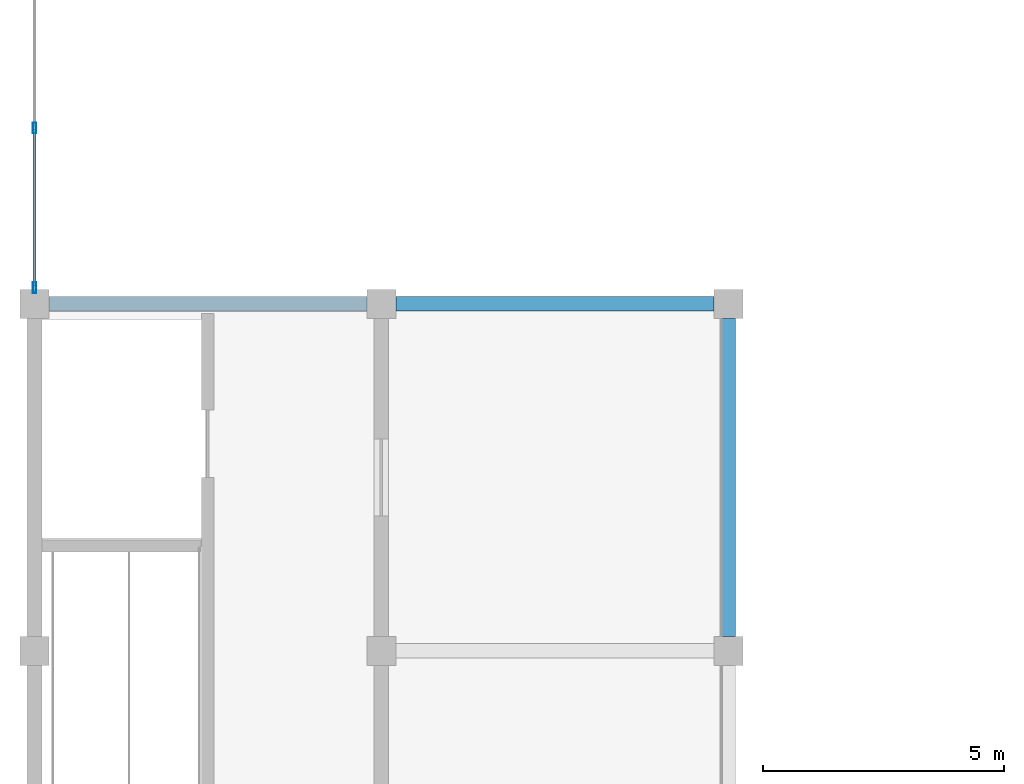
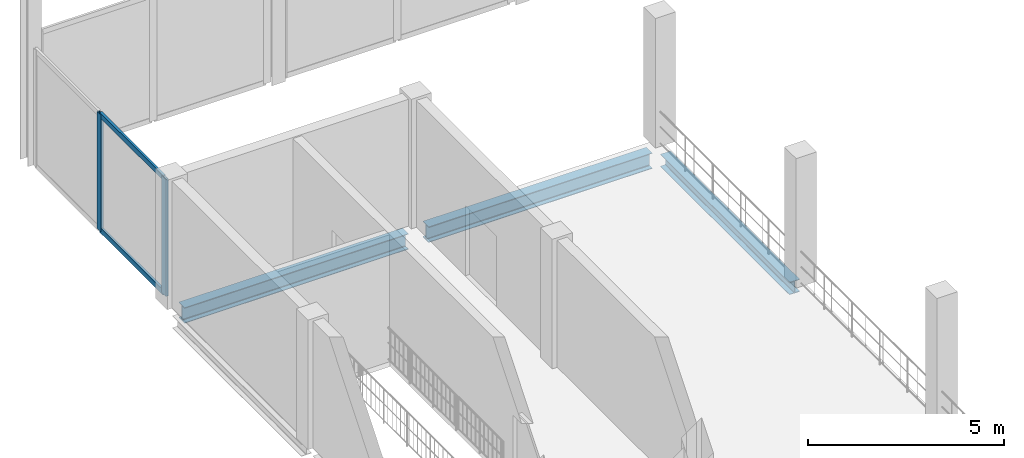
# One storey, part 20 of 51: 4 members, 3 beams, 1 element without a shape of its own.
"""IFC4 building model written with IfcOpenShell, lengths in metres."""

from ifc_helpers import new_model, si_unit, direction, frame, origin, origin_2d, place, context, subcontext, project, spatial, hollow_rectangle, i_section, extrude, material, material_profile, profile_set, type_object, element, aggregate, save


model = new_model("IFC4")

# Units and contexts
model_context = context("Model", 3, precision=1e-05, world=origin(), true_north=direction((0.0, 1.0)))
body_context = subcontext(model_context, "Body", "Model", "MODEL_VIEW")
ifc_project = project(units=[si_unit("LENGTHUNIT", "METRE"), si_unit("AREAUNIT", "SQUARE_METRE"), si_unit("VOLUMEUNIT", "CUBIC_METRE"), si_unit("PLANEANGLEUNIT", "RADIAN"), si_unit("MASSUNIT", "GRAM", prefix="KILO")], contexts=[model_context])

# Site, building, storey
site_placement = place(None, origin())
site = spatial("IfcSite", under=ifc_project, at=site_placement, CompositionType="ELEMENT")
building_placement = place(site_placement, origin())
building = spatial("IfcBuilding", under=site, at=building_placement, Name="Vesperath Aquatics Centre", CompositionType="ELEMENT")
storey_placement = place(building_placement, frame((0.0, 0.0, 15.0)))
storey = spatial("IfcBuildingStorey", under=building, at=storey_placement, Name="L03", CompositionType="ELEMENT", Elevation=15.0)

# Beams
ifc_material_1 = material(Name="Steel Q355C", Category="steel")
ifc_material_profile_1 = material_profile(ifc_material_1, i_section(OverallWidth=0.300048828125, OverallDepth=0.488037109375, WebThickness=0.010986328125, FlangeThickness=0.01806640625, FilletRadius=0.02587890625, at=origin_2d()), Name="HM 488x300x11x18")
ifc_profile_set_1 = profile_set([ifc_material_profile_1], Name="Steel Q355C")
beam_type_1 = type_object("IfcBeamType", Name="BM-G10", PredefinedType="BEAM", material=ifc_profile_set_1)
for number, where, z_axis, x_axis, name in (
    (1, (7.5, 108.0, -0.48388671875), (1.0, 0.0, 0.0), (0.0, 1.0, 0.0), "Floor Girder B10 L03 R 2-3"),
    (2, (14.699951171875, 108.0, -0.48388671875), (1.0, 0.0, 0.0), (0.0, 1.0, 0.0), "Floor Girder B10 L03 R 3-4"),
):
    element("IfcBeam", number, at=place(storey_placement, frame(where, z_axis=z_axis, x_axis=x_axis)), inside=storey, type_object=beam_type_1, Name=name, PredefinedType="BEAM", context=body_context, shape_type="SweptSolid", body=[
        extrude(i_section(OverallWidth=0.300048828125, OverallDepth=0.488037109375, WebThickness=0.010986328125, FlangeThickness=0.01806640625, FilletRadius=0.02587890625, at=origin_2d()), origin(), (0.0, 0.0, 1.0), 6.60009765625),
    ])
ifc_material_profile_2 = material_profile(ifc_material_1, i_section(OverallWidth=0.300048828125, OverallDepth=0.389892578125, WebThickness=0.010009765625, FlangeThickness=0.01611328125, FilletRadius=0.02197265625, at=origin_2d()), Name="HM 390x300x10x16")
ifc_profile_set_2 = profile_set([ifc_material_profile_2], Name="Steel Q355C")
beam_type_2 = type_object("IfcBeamType", Name="BM-G11", PredefinedType="BEAM", material=ifc_profile_set_2)
beam_placement = place(storey_placement, frame((21.60009765625, 101.10009765625, -0.43505859375), z_axis=(0.0, 1.0, 0.0), x_axis=(-1.0, 0.0, 0.0)))
element("IfcBeam", 3, at=beam_placement, inside=storey, type_object=beam_type_2, Name="Floor Girder B11 L03 4 Q-R", PredefinedType="BEAM", context=body_context, shape_type="SweptSolid", body=[
    extrude(i_section(OverallWidth=0.300048828125, OverallDepth=0.389892578125, WebThickness=0.010009765625, FlangeThickness=0.01611328125, FilletRadius=0.02197265625, at=origin_2d()), origin(), (0.0, 0.0, 1.0), 6.599853515625),
])

# Curtain wall, members
ifc_material_2 = material(Name="Thermally broken anodised bronze aluminium curtain wall", Category="aluminium")
curtain_wall_type = type_object("IfcCurtainWallType", Name="CW-04", PredefinedType="NOTDEFINED", material=ifc_material_2)
curtain_wall_placement = place(storey_placement, origin())
curtain_wall = element("IfcCurtainWall", 4, at=curtain_wall_placement, inside=storey, type_object=curtain_wall_type, Name="Facade Curtain Wall CW04 L03_W_01_15", PredefinedType="NOTDEFINED")
ifc_material_3 = material(Name="Thermally broken anodised aluminium", Category="aluminium")
ifc_material_profile_3 = material_profile(ifc_material_3, hollow_rectangle(XDim=0.070068359375, YDim=0.219970703125, WallThickness=0.0048828125, at=origin_2d()), Name="CWM 70x220x5")
ifc_profile_set_3 = profile_set([ifc_material_profile_3], Name="Thermally broken anodised aluminium")
member_type_1 = type_object("IfcMemberType", Name="MB-CWM2", PredefinedType="MULLION", material=ifc_profile_set_3)
member_1_placement = place(storey_placement, frame((7.199951171875, 108.3349609375, 0.0), z_axis=(0.0, 0.0, 1.0), x_axis=(-1.0, 0.0, 0.0)))
member_1 = element("IfcMember", 5, at=member_1_placement, type_object=member_type_1, Name="CW04 mullion 1", PredefinedType="MULLION", context=body_context, shape_type="SweptSolid", body=[
    extrude(hollow_rectangle(XDim=0.070068359375, YDim=0.219970703125, WallThickness=0.0048828125, at=origin_2d()), origin(), (0.0, 0.0, 1.0), 3.64990234375),
])
member_2_placement = place(storey_placement, frame((7.199951171875, 111.64990234375, 0.0), z_axis=(0.0, 0.0, 1.0), x_axis=(-1.0, 0.0, 0.0)))
member_2 = element("IfcMember", 6, at=member_2_placement, type_object=member_type_1, Name="CW04 mullion 2", PredefinedType="MULLION", context=body_context, shape_type="SweptSolid", body=[
    extrude(hollow_rectangle(XDim=0.070068359375, YDim=0.219970703125, WallThickness=0.0048828125, at=origin_2d()), origin(), (0.0, 0.0, 1.0), 3.64990234375),
])
ifc_material_profile_4 = material_profile(ifc_material_3, hollow_rectangle(XDim=0.070068359375, YDim=0.159912109375, WallThickness=0.0048828125, at=origin_2d()), Name="CWT 70x160x5")
ifc_profile_set_4 = profile_set([ifc_material_profile_4], Name="Thermally broken anodised aluminium")
member_type_2 = type_object("IfcMemberType", Name="MB-CWT2", PredefinedType="USERDEFINED", material=ifc_profile_set_4)
member_3_placement = place(storey_placement, frame((7.199951171875, 108.3701171875, 0.034912109375), z_axis=(0.0, 1.0, 0.0), x_axis=(-1.0, 0.0, 0.0)))
member_3 = element("IfcMember", 7, at=member_3_placement, type_object=member_type_2, Name="CW04 transom 1.1", ObjectType="TRANSOM", PredefinedType="USERDEFINED", context=body_context, shape_type="SweptSolid", body=[
    extrude(hollow_rectangle(XDim=0.070068359375, YDim=0.159912109375, WallThickness=0.0048828125, at=origin_2d()), origin(), (0.0, 0.0, 1.0), 3.244873046875),
])
member_4_placement = place(storey_placement, frame((7.199951171875, 108.3701171875, 3.614990234375), z_axis=(0.0, 1.0, 0.0), x_axis=(-1.0, 0.0, 0.0)))
member_4 = element("IfcMember", 8, at=member_4_placement, type_object=member_type_2, Name="CW04 transom 1.2", ObjectType="TRANSOM", PredefinedType="USERDEFINED", context=body_context, shape_type="SweptSolid", body=[
    extrude(hollow_rectangle(XDim=0.070068359375, YDim=0.159912109375, WallThickness=0.0048828125, at=origin_2d()), origin(), (0.0, 0.0, 1.0), 3.244873046875),
])
aggregate(curtain_wall, [member_1, member_2, member_3, member_4])

save(model, "model.ifc")
